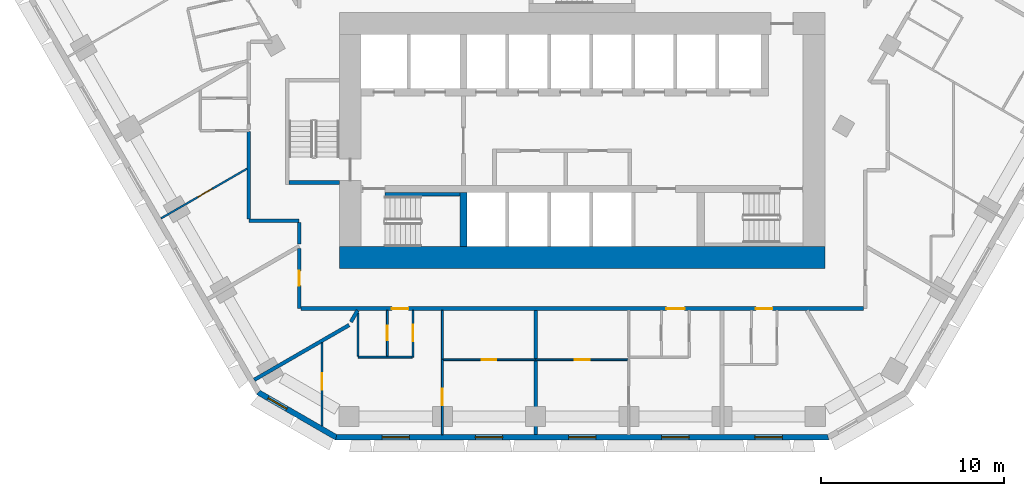
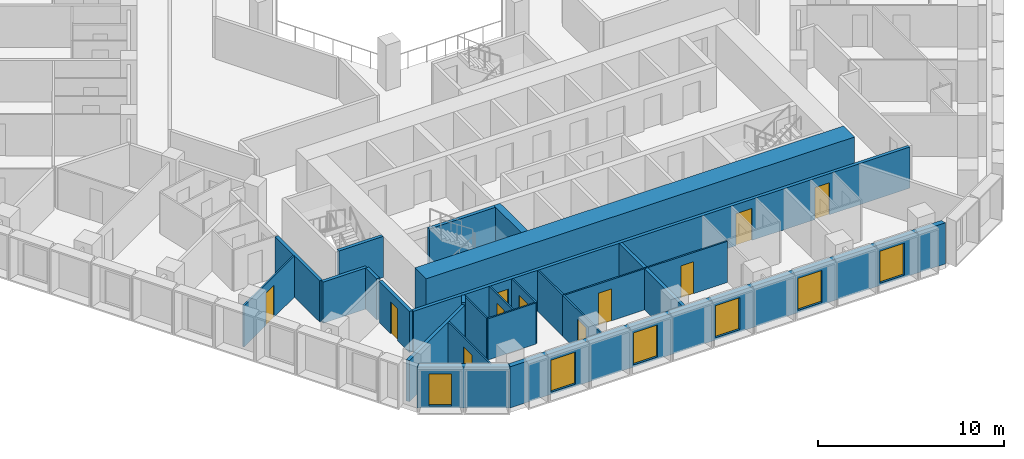
# One storey, part 3 of 16: 24 walls, 11 doors, 6 windows, 17 openings.
"""IFC4 building model written with IfcOpenShell, lengths in metres."""

import ifcopenshell
import ifcopenshell.guid

model = None  # the IFC model being written
_history = None  # IfcOwnerHistory: only IFC2X3 demands one
_inside = {}  # id of a spatial element -> (the spatial element, [elements in it])
_under = {}  # id of a project, library or spatial element -> (it, [spatial elements below it])
_declared = {}  # id of a project -> (the project, [libraries it declares])
_typed = {}  # id of a type object -> (the type object, [elements of that type])
_made_of = {}  # id of a material, layer set ... -> (it, [elements and type objects made of it])


def new_model(schema):
    """Start an empty IFC model of exactly this schema.

    Asked for "IFC4X3", IfcOpenShell would pick the latest addendum, in which some entities
    have other attributes; the version numbers below select the first issue.
    IFC2X3 requires an IfcOwnerHistory on every rooted entity: one is made here for all.
    """
    global model, _history
    if schema == "IFC4X3":
        model = ifcopenshell.file(schema_version=(4, 3, 0, 0))
    else:
        model = ifcopenshell.file(schema=schema)
    _inside.clear()
    _under.clear()
    _declared.clear()
    _typed.clear()
    _made_of.clear()
    _history = None
    if model.schema == "IFC2X3":
        org = make("IfcOrganization", Name="unknown")
        user = make(
            "IfcPersonAndOrganization",
            ThePerson=make("IfcPerson", FamilyName="unknown"),
            TheOrganization=org,
        )
        app = make(
            "IfcApplication",
            ApplicationDeveloper=org,
            Version="unknown",
            ApplicationFullName="unknown",
            ApplicationIdentifier="unknown",
        )
        _history = make(
            "IfcOwnerHistory",
            OwningUser=user,
            OwningApplication=app,
            ChangeAction="ADDED",
            CreationDate=0,
        )
    return model


def make(cls, **values):
    """One entity of the class cls with the attributes given. An attribute that is None is left unset."""
    return model.create_entity(
        cls, **{name: value for name, value in values.items() if value is not None}
    )


def rooted(cls, **values):
    """An entity with a GlobalId (a new one), such as an element, a storey or a relation."""
    return make(cls, GlobalId=ifcopenshell.guid.new(), OwnerHistory=_history, **values)


def si_unit(unit_type, name, prefix=None):
    """IfcSIUnit, for example si_unit("LENGTHUNIT", "METRE", prefix="MILLI")."""
    return make("IfcSIUnit", UnitType=unit_type, Prefix=prefix, Name=name)


def assignment(units):
    """IfcUnitAssignment: the units of a project."""
    return None if units is None else make("IfcUnitAssignment", Units=units)


def point(xyz):
    """IfcCartesianPoint."""
    return None if xyz is None else make("IfcCartesianPoint", Coordinates=xyz)


def direction(xyz):
    """IfcDirection."""
    return None if xyz is None else make("IfcDirection", DirectionRatios=xyz)


def frame(location, z_axis=None, x_axis=None):
    """IfcAxis2Placement3D, a coordinate frame: its origin and axes. An axis left out is left unset."""
    return make(
        "IfcAxis2Placement3D",
        Location=point(location),
        Axis=direction(z_axis),
        RefDirection=direction(x_axis),
    )


def frame_2d(location, x_axis=None):
    """IfcAxis2Placement2D, a coordinate frame in the plane: its origin and x axis."""
    return make(
        "IfcAxis2Placement2D", Location=point(location), RefDirection=direction(x_axis)
    )


def origin():
    """The frame at (0, 0, 0) with its axes left unset."""
    return frame((0.0, 0.0, 0.0))


def place(relative_to, where):
    """IfcLocalPlacement: puts the frame where relative to a parent placement (None: the world)."""
    return make(
        "IfcLocalPlacement", PlacementRelTo=relative_to, RelativePlacement=where
    )


def context(
    kind, dimensions, precision=None, world=None, true_north=None, identifier=None
):
    """IfcGeometricRepresentationContext, for example the 3D "Model" context."""
    return make(
        "IfcGeometricRepresentationContext",
        ContextIdentifier=identifier,
        ContextType=kind,
        CoordinateSpaceDimension=dimensions,
        Precision=precision,
        WorldCoordinateSystem=world,
        TrueNorth=true_north,
    )


def subcontext(parent, identifier, kind, view, scale=None):
    """IfcGeometricRepresentationSubContext, for example "Body" below "Model"."""
    return make(
        "IfcGeometricRepresentationSubContext",
        ContextIdentifier=identifier,
        ContextType=kind,
        ParentContext=parent,
        TargetScale=scale,
        TargetView=view,
    )


def project(units=None, contexts=None):
    """IfcProject with its units and contexts."""
    return rooted(
        "IfcProject",
        Name="project",
        RepresentationContexts=contexts,
        UnitsInContext=assignment(units),
    )


def spatial(cls, under=None, at=None, **own):
    """A site, building, storey or space (cls), placed at a placement, below another one or the project."""
    s = rooted(cls, ObjectPlacement=at, **own)
    if under is not None:
        _under.setdefault(under.id(), (under, []))[1].append(s)
    return s


def polyline(points):
    """IfcPolyline through the points."""
    return make("IfcPolyline", Points=[point(p) for p in points])


def profile(cls, at=None, kind="AREA", **sizes):
    """A parametric profile (cls). Its sizes go by their IFC names, for example OverallWidth=200.0."""
    return make(cls, ProfileType=kind, Position=at, **sizes)


def rectangle(**sizes):
    """IfcRectangleProfileDef."""
    return profile("IfcRectangleProfileDef", **sizes)


def outline(outer, holes=None, kind="AREA"):
    """IfcArbitraryClosedProfileDef: a profile drawn as a closed curve; with holes, ...WithVoids."""
    if holes is None:
        return make("IfcArbitraryClosedProfileDef", ProfileType=kind, OuterCurve=outer)
    return make(
        "IfcArbitraryProfileDefWithVoids",
        ProfileType=kind,
        OuterCurve=outer,
        InnerCurves=holes,
    )


def extrude(swept, where, along, depth):
    """IfcExtrudedAreaSolid: the profile swept, set in the frame where, extruded along a direction by depth."""
    return make(
        "IfcExtrudedAreaSolid",
        SweptArea=swept,
        Position=where,
        ExtrudedDirection=direction(along),
        Depth=depth,
    )


def shape(context_of_items, identifier, shape_type, items):
    """IfcShapeRepresentation: the items that make up one representation, for example the "Body"."""
    return make(
        "IfcShapeRepresentation",
        ContextOfItems=context_of_items,
        RepresentationIdentifier=identifier,
        RepresentationType=shape_type,
        Items=items,
    )


def material(Name=None, Category=None):
    """IfcMaterial."""
    return make("IfcMaterial", Name=Name, Category=Category)


def layer(
    of_material, thickness, ventilated=None, Name=None, Category=None, Priority=None
):
    """IfcMaterialLayer: one layer of a wall or slab, of a material (None: an air gap)."""
    return make(
        "IfcMaterialLayer",
        Material=of_material,
        LayerThickness=thickness,
        IsVentilated=ventilated,
        Name=Name,
        Category=Category,
        Priority=Priority,
    )


def layer_set(layers, Name=None):
    """IfcMaterialLayerSet."""
    return make("IfcMaterialLayerSet", MaterialLayers=layers, LayerSetName=Name)


def made_of(thing, what):
    """Note that an element or type object is made of a material, layer set ...; save() writes the relation."""
    if what is not None:
        _made_of.setdefault(what.id(), (what, []))[1].append(thing)
    return thing


def type_object(cls, material=None, **own):
    """A type object (cls), such as IfcWallType, which elements share."""
    return made_of(rooted(cls, **own), material)


def element(
    cls,
    number,
    at=None,
    inside=None,
    cuts=None,
    type_object=None,
    material=None,
    context=None,
    identifier="Body",
    shape_type=None,
    held_by="IfcProductDefinitionShape",
    body=None,
    shapes=None,
    **own,
):
    """One element of the class cls, such as IfcWall. Its Tag is "e" and its number.

    at: its placement. inside: the storey or other place that contains it. cuts: it is an
    opening in that element (IfcRelVoidsElement). A single representation is given by context,
    identifier, shape_type and body (its items); several are given by shapes. held_by: the class
    of the entity that holds the representations. save() writes the other relations.
    """
    e = rooted(cls, Tag="e%d" % number, ObjectPlacement=at, **own)
    if body is not None:
        shapes = [shape(context, identifier, shape_type, body)]
    if shapes is not None:
        e.Representation = make(held_by, Representations=shapes)
    if inside is not None:
        _inside.setdefault(inside.id(), (inside, []))[1].append(e)
    if cuts is not None:
        rooted(
            "IfcRelVoidsElement", RelatingBuildingElement=cuts, RelatedOpeningElement=e
        )
    if type_object is not None:
        _typed.setdefault(type_object.id(), (type_object, []))[1].append(e)
    return made_of(e, material)


def fill(opening, filler):
    """IfcRelFillsElement: the door or window that sits in an opening."""
    return rooted(
        "IfcRelFillsElement",
        RelatingOpeningElement=opening,
        RelatedBuildingElement=filler,
    )


def aggregate(whole, parts):
    """IfcRelAggregates: a whole, such as a stair, and the parts it consists of."""
    return rooted("IfcRelAggregates", RelatingObject=whole, RelatedObjects=parts)


def save(model, path):
    """Write the relations noted so far, then the file.

    IfcRelAggregates (storeys below a building ...), IfcRelContainedInSpatialStructure (elements
    in a storey), IfcRelDefinesByType, IfcRelAssociatesMaterial and IfcRelDeclares: one each for
    every whole, place, type object, material and project.
    """
    for whole, parts in _under.values():
        aggregate(whole, parts)
    for where, things in _inside.values():
        rooted(
            "IfcRelContainedInSpatialStructure",
            RelatedElements=things,
            RelatingStructure=where,
        )
    for kind, things in _typed.values():
        rooted("IfcRelDefinesByType", RelatedObjects=things, RelatingType=kind)
    for what, things in _made_of.values():
        rooted("IfcRelAssociatesMaterial", RelatedObjects=things, RelatingMaterial=what)
    for by, libraries in _declared.values():
        rooted("IfcRelDeclares", RelatingContext=by, RelatedDefinitions=libraries)
    model.write(path)


model = new_model("IFC4")

# Units and contexts
model_context = context("Model", 3, precision=1e-05, world=origin(), true_north=direction((0.0, 1.0)))
body_context = subcontext(model_context, "Body", "Model", "MODEL_VIEW")
ifc_project = project(units=[si_unit("LENGTHUNIT", "METRE"), si_unit("AREAUNIT", "SQUARE_METRE"), si_unit("VOLUMEUNIT", "CUBIC_METRE"), si_unit("PLANEANGLEUNIT", "RADIAN"), si_unit("MASSUNIT", "GRAM", prefix="KILO")], contexts=[model_context])

# Site, building, storey
site_placement = place(None, origin())
site = spatial("IfcSite", under=ifc_project, at=site_placement, CompositionType="ELEMENT")
building_placement = place(site_placement, origin())
building = spatial("IfcBuilding", under=site, at=building_placement, Name="Beryl Residences", CompositionType="ELEMENT")
storey_placement = place(building_placement, frame((0.0, 0.0, 44.39990234375)))
storey = spatial("IfcBuildingStorey", under=building, at=storey_placement, Name="L13", CompositionType="ELEMENT", Elevation=44.39990234375)

# Wall, opening, window
ifc_material_1 = material(Name="Composite metal panel with mineral wool insulation")
ifc_layer_1 = layer(ifc_material_1, 0.300048828125)
ifc_layer_set_1 = layer_set([ifc_layer_1], Name="ES1 pale metal composite panel wall 300 mm")
wall_type_1 = type_object("IfcWallType", Name="ES1 pale metal composite panel wall 300 mm", PredefinedType="SOLIDWALL", material=ifc_layer_set_1)
wall_1_placement = place(storey_placement, frame((-17.764892578125, -25.77001953125, 0.0), z_axis=(0.0, 0.0, 1.0), x_axis=(0.866010750942, -0.50002537861, 0.0)))
wall_1 = element("IfcWall", 1, at=wall_1_placement, inside=storey, type_object=wall_type_1, Name="ES1 external wall L13 SW-S", PredefinedType="SOLIDWALL", context=body_context, shape_type="SweptSolid", body=[
    extrude(outline(polyline([(0.0, -0.14990234375), (4.999755859375, -0.14990234375), (4.91943359375, 0.14990234375), (0.080322265625, 0.14990234375), (0.0, -0.14990234375)])), origin(), (0.0, 0.0, 1.0), 2.7001953125),
])
opening_1_placement = place(wall_1_placement, frame((0.64990234375, 0.0, 0.14990234375)))
opening_1 = element("IfcOpeningElement", 2, at=opening_1_placement, cuts=wall_1, Name="Opening W2", PredefinedType="OPENING", context=body_context, shape_type="SweptSolid", body=[
    extrude(rectangle(XDim=1.199951171875, YDim=2.10009765625, at=frame_2d((0.60009765625, 1.050048828125))), frame((0.0, 0.159912109375, 0.0), z_axis=(0.0, -1.0, 0.0), x_axis=(1.0, 0.0, 0.0)), (0.0, 0.0, 1.0), 0.320068359375),
])
ifc_material_2 = material(Name="Aluminium and clear glass", Category="aluminium")
window_type_1 = type_object("IfcWindowType", Name="W2 chamfer window 1200 x 2100 mm", PartitioningType="SINGLE_PANEL", PredefinedType="WINDOW", material=ifc_material_2)
window_1_placement = place(opening_1_placement, origin())
window_1 = element("IfcWindow", 3, at=window_1_placement, inside=storey, type_object=window_type_1, Name="W2 window L13 SW-S 1", OverallHeight=2.10009765625, OverallWidth=1.199951171875, PartitioningType="SINGLE_PANEL", PredefinedType="WINDOW", context=body_context, shape_type="SweptSolid", body=[
    extrude(rectangle(XDim=1.199951171875, YDim=2.10009765625, at=frame_2d((0.60009765625, 1.050048828125))), frame((0.0, 0.030029296875, 0.0), z_axis=(0.0, -1.0, 0.0), x_axis=(1.0, 0.0, 0.0)), (0.0, 0.0, 1.0), 0.06005859375),
])
fill(opening_1, window_1)

# Wall, openings, windows
wall_2_placement = place(storey_placement, frame((-13.510009765625, -28.25, 0.0), z_axis=(0.0, 0.0, 1.0), x_axis=(1.0, 0.0, 0.0)))
wall_2 = element("IfcWall", 4, at=wall_2_placement, inside=storey, type_object=wall_type_1, Name="ES1 external wall L13 S", PredefinedType="SOLIDWALL", context=body_context, shape_type="SweptSolid", body=[
    extrude(outline(polyline([(0.0, -0.14990234375), (27.02001953125, -0.14990234375), (26.939697265625, 0.14990234375), (0.080322265625, 0.14990234375), (0.0, -0.14990234375)])), origin(), (0.0, 0.0, 1.0), 2.7001953125),
])
opening_2_placement = place(wall_2_placement, frame((2.552978515625, 0.0, 0.14990234375)))
opening_2 = element("IfcOpeningElement", 5, at=opening_2_placement, cuts=wall_2, Name="Opening W1", PredefinedType="OPENING", context=body_context, shape_type="SweptSolid", body=[
    extrude(rectangle(XDim=1.5, YDim=2.10009765625, at=frame_2d((0.75, 1.050048828125))), frame((0.0, 0.159912109375, 0.0), z_axis=(0.0, -1.0, 0.0), x_axis=(1.0, 0.0, 0.0)), (0.0, 0.0, 1.0), 0.320068359375),
])
opening_3_placement = place(wall_2_placement, frame((7.656982421875, 0.0, 0.14990234375)))
opening_3 = element("IfcOpeningElement", 6, at=opening_3_placement, cuts=wall_2, Name="Opening W1", PredefinedType="OPENING", context=body_context, shape_type="SweptSolid", body=[
    extrude(rectangle(XDim=1.5, YDim=2.10009765625, at=frame_2d((0.75, 1.050048828125))), frame((0.0, 0.159912109375, 0.0), z_axis=(0.0, -1.0, 0.0), x_axis=(1.0, 0.0, 0.0)), (0.0, 0.0, 1.0), 0.320068359375),
])
opening_4_placement = place(wall_2_placement, frame((12.760986328125, 0.0, 0.14990234375)))
opening_4 = element("IfcOpeningElement", 7, at=opening_4_placement, cuts=wall_2, Name="Opening W1", PredefinedType="OPENING", context=body_context, shape_type="SweptSolid", body=[
    extrude(rectangle(XDim=1.5, YDim=2.10009765625, at=frame_2d((0.75, 1.050048828125))), frame((0.0, 0.159912109375, 0.0), z_axis=(0.0, -1.0, 0.0), x_axis=(1.0, 0.0, 0.0)), (0.0, 0.0, 1.0), 0.320068359375),
])
opening_5_placement = place(wall_2_placement, frame((17.864990234375, 0.0, 0.14990234375)))
opening_5 = element("IfcOpeningElement", 8, at=opening_5_placement, cuts=wall_2, Name="Opening W1", PredefinedType="OPENING", context=body_context, shape_type="SweptSolid", body=[
    extrude(rectangle(XDim=1.5, YDim=2.10009765625, at=frame_2d((0.75, 1.050048828125))), frame((0.0, 0.159912109375, 0.0), z_axis=(0.0, -1.0, 0.0), x_axis=(1.0, 0.0, 0.0)), (0.0, 0.0, 1.0), 0.320068359375),
])
opening_6_placement = place(wall_2_placement, frame((22.968994140625, 0.0, 0.14990234375)))
opening_6 = element("IfcOpeningElement", 9, at=opening_6_placement, cuts=wall_2, Name="Opening W1", PredefinedType="OPENING", context=body_context, shape_type="SweptSolid", body=[
    extrude(rectangle(XDim=1.5, YDim=2.10009765625, at=frame_2d((0.75, 1.050048828125))), frame((0.0, 0.159912109375, 0.0), z_axis=(0.0, -1.0, 0.0), x_axis=(1.0, 0.0, 0.0)), (0.0, 0.0, 1.0), 0.320068359375),
])
ifc_material_3 = material(Name="Aluminium and clear glass", Category="aluminium")
window_type_2 = type_object("IfcWindowType", Name="W1 cell window 1500 x 2100 mm", PartitioningType="SINGLE_PANEL", PredefinedType="WINDOW", material=ifc_material_3)
window_2_placement = place(opening_2_placement, origin())
window_2 = element("IfcWindow", 10, at=window_2_placement, inside=storey, type_object=window_type_2, Name="W1 window L13 S 2", OverallHeight=2.10009765625, OverallWidth=1.5, PartitioningType="SINGLE_PANEL", PredefinedType="WINDOW", context=body_context, shape_type="SweptSolid", body=[
    extrude(rectangle(XDim=1.5, YDim=2.10009765625, at=frame_2d((0.75, 1.050048828125))), frame((0.0, 0.030029296875, 0.0), z_axis=(0.0, -1.0, 0.0), x_axis=(1.0, 0.0, 0.0)), (0.0, 0.0, 1.0), 0.06005859375),
])
fill(opening_2, window_2)
window_3_placement = place(opening_3_placement, origin())
window_3 = element("IfcWindow", 11, at=window_3_placement, inside=storey, type_object=window_type_2, Name="W1 window L13 S 4", OverallHeight=2.10009765625, OverallWidth=1.5, PartitioningType="SINGLE_PANEL", PredefinedType="WINDOW", context=body_context, shape_type="SweptSolid", body=[
    extrude(rectangle(XDim=1.5, YDim=2.10009765625, at=frame_2d((0.75, 1.050048828125))), frame((0.0, 0.030029296875, 0.0), z_axis=(0.0, -1.0, 0.0), x_axis=(1.0, 0.0, 0.0)), (0.0, 0.0, 1.0), 0.06005859375),
])
fill(opening_3, window_3)
window_4_placement = place(opening_4_placement, origin())
window_4 = element("IfcWindow", 12, at=window_4_placement, inside=storey, type_object=window_type_2, Name="W1 window L13 S 6", OverallHeight=2.10009765625, OverallWidth=1.5, PartitioningType="SINGLE_PANEL", PredefinedType="WINDOW", context=body_context, shape_type="SweptSolid", body=[
    extrude(rectangle(XDim=1.5, YDim=2.10009765625, at=frame_2d((0.75, 1.050048828125))), frame((0.0, 0.030029296875, 0.0), z_axis=(0.0, -1.0, 0.0), x_axis=(1.0, 0.0, 0.0)), (0.0, 0.0, 1.0), 0.06005859375),
])
fill(opening_4, window_4)
window_5_placement = place(opening_5_placement, origin())
window_5 = element("IfcWindow", 13, at=window_5_placement, inside=storey, type_object=window_type_2, Name="W1 window L13 S 8", OverallHeight=2.10009765625, OverallWidth=1.5, PartitioningType="SINGLE_PANEL", PredefinedType="WINDOW", context=body_context, shape_type="SweptSolid", body=[
    extrude(rectangle(XDim=1.5, YDim=2.10009765625, at=frame_2d((0.75, 1.050048828125))), frame((0.0, 0.030029296875, 0.0), z_axis=(0.0, -1.0, 0.0), x_axis=(1.0, 0.0, 0.0)), (0.0, 0.0, 1.0), 0.06005859375),
])
fill(opening_5, window_5)
window_6_placement = place(opening_6_placement, origin())
window_6 = element("IfcWindow", 14, at=window_6_placement, inside=storey, type_object=window_type_2, Name="W1 window L13 S 10", OverallHeight=2.10009765625, OverallWidth=1.5, PartitioningType="SINGLE_PANEL", PredefinedType="WINDOW", context=body_context, shape_type="SweptSolid", body=[
    extrude(rectangle(XDim=1.5, YDim=2.10009765625, at=frame_2d((0.75, 1.050048828125))), frame((0.0, 0.030029296875, 0.0), z_axis=(0.0, -1.0, 0.0), x_axis=(1.0, 0.0, 0.0)), (0.0, 0.0, 1.0), 0.06005859375),
])
fill(opening_6, window_6)

# Walls
ifc_material_4 = material(Name="Gypsum board partition on steel studs", Category="steel")
ifc_layer_2 = layer(ifc_material_4, 0.10009765625)
ifc_layer_set_2 = layer_set([ifc_layer_2], Name="PT1 partition 100 mm gypsum board on steel studs")
wall_type_2 = type_object("IfcWallType", Name="PT1 partition 100 mm gypsum board on steel studs", PredefinedType="PARTITIONING", material=ifc_layer_set_2)
wall_3_placement = place(storey_placement, frame((-7.655029296875, -21.300048828125, 0.0), z_axis=(0.0, 0.0, 1.0), x_axis=(0.0, -1.0, 0.0)))
element("IfcWall", 15, at=wall_3_placement, inside=storey, type_object=wall_type_2, Name="Wall PT1 L13 007", PredefinedType="PARTITIONING", context=body_context, shape_type="SweptSolid", body=[
    extrude(rectangle(XDim=2.669921875, YDim=0.10009765625, at=frame_2d((1.3349609375, 0.0))), origin(), (0.0, 0.0, 1.0), 2.7001953125),
])
wall_4_placement = place(storey_placement, frame((-12.27490234375, -21.4599609375, 0.0), z_axis=(0.0, 0.0, 1.0), x_axis=(0.0, -1.0, 0.0)))
element("IfcWall", 16, at=wall_4_placement, inside=storey, type_object=wall_type_2, Name="Wall PT1 L13 008", PredefinedType="PARTITIONING", context=body_context, shape_type="SweptSolid", body=[
    extrude(rectangle(XDim=2.34912109375, YDim=0.10009765625, at=frame_2d((1.174560546875, 0.0))), origin(), (0.0, 0.0, 1.0), 2.7001953125),
])
wall_5_placement = place(storey_placement, frame((-12.27392578125, -23.860107421875, 0.0), z_axis=(0.0, 0.0, 1.0), x_axis=(1.0, 0.0, 0.0)))
element("IfcWall", 17, at=wall_5_placement, inside=storey, type_object=wall_type_2, Name="Wall PT1 L13 028", PredefinedType="PARTITIONING", context=body_context, shape_type="SweptSolid", body=[
    extrude(rectangle(XDim=2.9580078125, YDim=0.10009765625, at=frame_2d((1.47900390625, 0.0))), origin(), (0.0, 0.0, 1.0), 2.7001953125),
])

# Wall, opening, door
wall_6_placement = place(storey_placement, frame((-7.60498046875, -24.0, 0.0), z_axis=(0.0, 0.0, 1.0), x_axis=(1.0, 0.0, 0.0)))
wall_6 = element("IfcWall", 18, at=wall_6_placement, inside=storey, type_object=wall_type_2, Name="Wall PT1 L13 030", PredefinedType="PARTITIONING", context=body_context, shape_type="SweptSolid", body=[
    extrude(rectangle(XDim=5.053955078125, YDim=0.10009765625, at=frame_2d((2.52685546875, 0.0))), origin(), (0.0, 0.0, 1.0), 2.7001953125),
])
opening_7_placement = place(wall_6_placement, frame((2.10205078125, 0.0, 0.0)))
opening_7 = element("IfcOpeningElement", 19, at=opening_7_placement, cuts=wall_6, Name="Opening D0526", PredefinedType="OPENING", context=body_context, shape_type="SweptSolid", body=[
    extrude(rectangle(XDim=0.800048828125, YDim=2.10009765625, at=frame_2d((0.39990234375, 1.050048828125))), frame((0.0, 0.06005859375, 0.0), z_axis=(0.0, -1.0, 0.0), x_axis=(1.0, 0.0, 0.0)), (0.0, 0.0, 1.0), 0.1201171875),
])
ifc_material_5 = material(Name="Timber door leaf", Category="wood")
door_type_1 = type_object("IfcDoorType", Name="D3 bathroom door 800 x 2100 mm", OperationType="SINGLE_SWING_LEFT", PredefinedType="DOOR", material=ifc_material_5)
door_1_placement = place(opening_7_placement, origin())
door_1 = element("IfcDoor", 20, at=door_1_placement, inside=storey, type_object=door_type_1, Name="Door D0526 L13 001", OperationType="SINGLE_SWING_RIGHT", OverallHeight=2.10009765625, OverallWidth=0.800048828125, PredefinedType="DOOR", context=body_context, shape_type="SweptSolid", body=[
    extrude(rectangle(XDim=0.800048828125, YDim=2.10009765625, at=frame_2d((0.39990234375, 1.050048828125))), frame((0.0, 0.02490234375, 0.0), z_axis=(0.0, -1.0, 0.0), x_axis=(1.0, 0.0, 0.0)), (0.0, 0.0, 1.0), 0.050048828125),
])
fill(opening_7, door_1)

wall_7_placement = place(storey_placement, frame((-7.655029296875, -28.10009765625, 0.0), z_axis=(0.0, 0.0, 1.0), x_axis=(0.0, 1.0, 0.0)))
wall_7 = element("IfcWall", 21, at=wall_7_placement, inside=storey, type_object=wall_type_2, Name="Wall PT1 L13 052", PredefinedType="PARTITIONING", context=body_context, shape_type="SweptSolid", body=[
    extrude(rectangle(XDim=4.1201171875, YDim=0.10009765625, at=frame_2d((2.06005859375, 0.0))), origin(), (0.0, 0.0, 1.0), 2.7001953125),
])
opening_8_placement = place(wall_7_placement, frame((1.610107421875, 0.0, 0.0)))
opening_8 = element("IfcOpeningElement", 22, at=opening_8_placement, cuts=wall_7, Name="Opening D0525", PredefinedType="OPENING", context=body_context, shape_type="SweptSolid", body=[
    extrude(rectangle(XDim=0.89990234375, YDim=2.10009765625, at=frame_2d((0.449951171875, 1.050048828125))), frame((0.0, 0.06005859375, 0.0), z_axis=(0.0, -1.0, 0.0), x_axis=(1.0, 0.0, 0.0)), (0.0, 0.0, 1.0), 0.1201171875),
])
ifc_material_6 = material(Name="Timber door leaf", Category="wood")
door_type_2 = type_object("IfcDoorType", Name="D2 room door 900 x 2100 mm", OperationType="SINGLE_SWING_LEFT", PredefinedType="DOOR", material=ifc_material_6)
door_2_placement = place(opening_8_placement, origin())
door_2 = element("IfcDoor", 23, at=door_2_placement, inside=storey, type_object=door_type_2, Name="Door D0525 L13 001", OperationType="SINGLE_SWING_LEFT", OverallHeight=2.10009765625, OverallWidth=0.89990234375, PredefinedType="DOOR", context=body_context, shape_type="SweptSolid", body=[
    extrude(rectangle(XDim=0.89990234375, YDim=2.10009765625, at=frame_2d((0.449951171875, 1.050048828125))), frame((0.0, 0.02490234375, 0.0), z_axis=(0.0, -1.0, 0.0), x_axis=(1.0, 0.0, 0.0)), (0.0, 0.0, 1.0), 0.050048828125),
])
fill(opening_8, door_2)

wall_8_placement = place(storey_placement, frame((-9.264892578125, -23.85888671875, 0.0), z_axis=(0.0, 0.0, 1.0), x_axis=(0.0, 1.0, 0.0)))
wall_8 = element("IfcWall", 24, at=wall_8_placement, inside=storey, type_object=wall_type_2, Name="Wall PT1 L13 054", PredefinedType="PARTITIONING", context=body_context, shape_type="SweptSolid", body=[
    extrude(rectangle(XDim=2.558837890625, YDim=0.10009765625, at=frame_2d((1.279296875, 0.0))), origin(), (0.0, 0.0, 1.0), 2.7001953125),
])
opening_9_placement = place(wall_8_placement, frame((0.87890625, 0.0, 0.0)))
opening_9 = element("IfcOpeningElement", 25, at=opening_9_placement, cuts=wall_8, Name="Opening D0522", PredefinedType="OPENING", context=body_context, shape_type="SweptSolid", body=[
    extrude(rectangle(XDim=0.89990234375, YDim=2.10009765625, at=frame_2d((0.449951171875, 1.050048828125))), frame((0.0, 0.06005859375, 0.0), z_axis=(0.0, -1.0, 0.0), x_axis=(1.0, 0.0, 0.0)), (0.0, 0.0, 1.0), 0.1201171875),
])
door_3_placement = place(opening_9_placement, origin())
door_3 = element("IfcDoor", 26, at=door_3_placement, inside=storey, type_object=door_type_2, Name="Door D0522 L13 001", OperationType="SINGLE_SWING_RIGHT", OverallHeight=2.10009765625, OverallWidth=0.89990234375, PredefinedType="DOOR", context=body_context, shape_type="SweptSolid", body=[
    extrude(rectangle(XDim=0.89990234375, YDim=2.10009765625, at=frame_2d((0.449951171875, 1.050048828125))), frame((0.0, 0.02490234375, 0.0), z_axis=(0.0, -1.0, 0.0), x_axis=(1.0, 0.0, 0.0)), (0.0, 0.0, 1.0), 0.050048828125),
])
fill(opening_9, door_3)

wall_9_placement = place(storey_placement, frame((-10.6650390625, -23.81005859375, 0.0), z_axis=(0.0, 0.0, 1.0), x_axis=(0.0, 1.0, 0.0)))
wall_9 = element("IfcWall", 27, at=wall_9_placement, inside=storey, type_object=wall_type_2, Name="Wall PT1 L13 055", PredefinedType="PARTITIONING", context=body_context, shape_type="SweptSolid", body=[
    extrude(rectangle(XDim=2.510009765625, YDim=0.10009765625, at=frame_2d((1.2548828125, 0.0))), origin(), (0.0, 0.0, 1.0), 2.7001953125),
])
opening_10_placement = place(wall_9_placement, frame((0.8798828125, 0.0, 0.0)))
opening_10 = element("IfcOpeningElement", 28, at=opening_10_placement, cuts=wall_9, Name="Opening D0523", PredefinedType="OPENING", context=body_context, shape_type="SweptSolid", body=[
    extrude(rectangle(XDim=0.800048828125, YDim=2.10009765625, at=frame_2d((0.39990234375, 1.050048828125))), frame((0.0, 0.06005859375, 0.0), z_axis=(0.0, -1.0, 0.0), x_axis=(1.0, 0.0, 0.0)), (0.0, 0.0, 1.0), 0.1201171875),
])
door_4_placement = place(opening_10_placement, origin())
door_4 = element("IfcDoor", 29, at=door_4_placement, inside=storey, type_object=door_type_1, Name="Door D0523 L13 001", OperationType="SINGLE_SWING_LEFT", OverallHeight=2.10009765625, OverallWidth=0.800048828125, PredefinedType="DOOR", context=body_context, shape_type="SweptSolid", body=[
    extrude(rectangle(XDim=0.800048828125, YDim=2.10009765625, at=frame_2d((0.39990234375, 1.050048828125))), frame((0.0, 0.02490234375, 0.0), z_axis=(0.0, -1.0, 0.0), x_axis=(1.0, 0.0, 0.0)), (0.0, 0.0, 1.0), 0.050048828125),
])
fill(opening_10, door_4)

wall_10_placement = place(storey_placement, frame((-14.2470703125, -27.6279296875, 0.0), z_axis=(0.0, 0.0, 1.0), x_axis=(0.0, 1.0, 0.0)))
wall_10 = element("IfcWall", 30, at=wall_10_placement, inside=storey, type_object=wall_type_2, Name="Wall PT1 L13 056", PredefinedType="PARTITIONING", context=body_context, shape_type="SweptSolid", body=[
    extrude(rectangle(XDim=4.552001953125, YDim=0.10009765625, at=frame_2d((2.27587890625, 0.0))), origin(), (0.0, 0.0, 1.0), 2.7001953125),
])
opening_11_placement = place(wall_10_placement, frame((1.98388671875, 0.0, 0.0)))
opening_11 = element("IfcOpeningElement", 31, at=opening_11_placement, cuts=wall_10, Name="Opening D0524", PredefinedType="OPENING", context=body_context, shape_type="SweptSolid", body=[
    extrude(rectangle(XDim=0.89990234375, YDim=2.10009765625, at=frame_2d((0.449951171875, 1.050048828125))), frame((0.0, 0.06005859375, 0.0), z_axis=(0.0, -1.0, 0.0), x_axis=(1.0, 0.0, 0.0)), (0.0, 0.0, 1.0), 0.1201171875),
])
door_5_placement = place(opening_11_placement, origin())
door_5 = element("IfcDoor", 32, at=door_5_placement, inside=storey, type_object=door_type_2, Name="Door D0524 L13 001", OperationType="SINGLE_SWING_RIGHT", OverallHeight=2.10009765625, OverallWidth=0.89990234375, PredefinedType="DOOR", context=body_context, shape_type="SweptSolid", body=[
    extrude(rectangle(XDim=0.89990234375, YDim=2.10009765625, at=frame_2d((0.449951171875, 1.050048828125))), frame((0.0, 0.02490234375, 0.0), z_axis=(0.0, -1.0, 0.0), x_axis=(1.0, 0.0, 0.0)), (0.0, 0.0, 1.0), 0.050048828125),
])
fill(opening_11, door_5)

wall_11_placement = place(storey_placement, frame((-23.05908203125, -16.260986328125, 0.0), z_axis=(0.0, 0.0, 1.0), x_axis=(0.866004639177, 0.500035963631, 0.0)))
wall_11 = element("IfcWall", 33, at=wall_11_placement, inside=storey, type_object=wall_type_2, Name="Wall PT1 L13 062", PredefinedType="PARTITIONING", context=body_context, shape_type="SweptSolid", body=[
    extrude(rectangle(XDim=5.4375, YDim=0.10009765625, at=frame_2d((2.71875, 0.0))), origin(), (0.0, 0.0, 1.0), 2.7001953125),
])
opening_12_placement = place(wall_11_placement, frame((2.325927734375, 0.0, 0.0)))
opening_12 = element("IfcOpeningElement", 34, at=opening_12_placement, cuts=wall_11, Name="Opening D0519", PredefinedType="OPENING", context=body_context, shape_type="SweptSolid", body=[
    extrude(rectangle(XDim=0.89990234375, YDim=2.10009765625, at=frame_2d((0.449951171875, 1.050048828125))), frame((0.0, 0.06005859375, 0.0), z_axis=(0.0, -1.0, 0.0), x_axis=(1.0, 0.0, 0.0)), (0.0, 0.0, 1.0), 0.1201171875),
])
door_6_placement = place(opening_12_placement, origin())
door_6 = element("IfcDoor", 35, at=door_6_placement, inside=storey, type_object=door_type_2, Name="Door D0519 L13 001", OperationType="SINGLE_SWING_LEFT", OverallHeight=2.10009765625, OverallWidth=0.89990234375, PredefinedType="DOOR", context=body_context, shape_type="SweptSolid", body=[
    extrude(rectangle(XDim=0.89990234375, YDim=2.10009765625, at=frame_2d((0.449951171875, 1.050048828125))), frame((0.0, 0.02490234375, 0.0), z_axis=(0.0, -1.0, 0.0), x_axis=(1.0, 0.0, 0.0)), (0.0, 0.0, 1.0), 0.050048828125),
])
fill(opening_12, door_6)

wall_12_placement = place(storey_placement, frame((-2.551025390625, -24.0, 0.0), z_axis=(0.0, 0.0, 1.0), x_axis=(1.0, 0.0, 0.0)))
wall_12 = element("IfcWall", 36, at=wall_12_placement, inside=storey, type_object=wall_type_2, Name="Wall PT1 L13 074", PredefinedType="PARTITIONING", context=body_context, shape_type="SweptSolid", body=[
    extrude(rectangle(XDim=5.053955078125, YDim=0.10009765625, at=frame_2d((2.52685546875, 0.0))), origin(), (0.0, 0.0, 1.0), 2.7001953125),
])
opening_13_placement = place(wall_12_placement, frame((2.152099609375, 0.0, 0.0)))
opening_13 = element("IfcOpeningElement", 37, at=opening_13_placement, cuts=wall_12, Name="Opening D0531", PredefinedType="OPENING", context=body_context, shape_type="SweptSolid", body=[
    extrude(rectangle(XDim=0.800048828125, YDim=2.10009765625, at=frame_2d((0.39990234375, 1.050048828125))), frame((0.0, 0.06005859375, 0.0), z_axis=(0.0, -1.0, 0.0), x_axis=(1.0, 0.0, 0.0)), (0.0, 0.0, 1.0), 0.1201171875),
])
door_7_placement = place(opening_13_placement, origin())
door_7 = element("IfcDoor", 38, at=door_7_placement, inside=storey, type_object=door_type_1, Name="Door D0531 L13 001", OperationType="SINGLE_SWING_LEFT", OverallHeight=2.10009765625, OverallWidth=0.800048828125, PredefinedType="DOOR", context=body_context, shape_type="SweptSolid", body=[
    extrude(rectangle(XDim=0.800048828125, YDim=2.10009765625, at=frame_2d((0.39990234375, 1.050048828125))), frame((0.0, 0.02490234375, 0.0), z_axis=(0.0, -1.0, 0.0), x_axis=(1.0, 0.0, 0.0)), (0.0, 0.0, 1.0), 0.050048828125),
])
fill(opening_13, door_7)

# Walls
ifc_material_7 = material(Name="Acoustic double stud gypsum board wall")
ifc_layer_3 = layer(ifc_material_7, 0.199951171875)
ifc_layer_set_3 = layer_set([ifc_layer_3], Name="PT3 party wall 200 mm acoustic double stud")
wall_type_3 = type_object("IfcWallType", Name="PT3 party wall 200 mm acoustic double stud", PredefinedType="PARTITIONING", material=ifc_layer_set_3)
wall_13_placement = place(storey_placement, frame((-12.660888671875, -21.928955078125, 0.0), z_axis=(0.0, 0.0, 1.0), x_axis=(0.499683639304, 0.866207977689, 0.0)))
element("IfcWall", 39, at=wall_13_placement, inside=storey, type_object=wall_type_3, Name="Wall PT3 L13 011", PredefinedType="PARTITIONING", context=body_context, shape_type="SweptSolid", body=[
    extrude(rectangle(XDim=0.72607421875, YDim=0.199951171875, at=frame_2d((0.363037109375, 0.0))), origin(), (0.0, 0.0, 1.0), 2.7001953125),
])
wall_14_placement = place(storey_placement, frame((-2.551025390625, -28.10009765625, 0.0), z_axis=(0.0, 0.0, 1.0), x_axis=(0.0, 1.0, 0.0)))
element("IfcWall", 40, at=wall_14_placement, inside=storey, type_object=wall_type_3, Name="Wall PT3 L13 015", PredefinedType="PARTITIONING", context=body_context, shape_type="SweptSolid", body=[
    extrude(rectangle(XDim=6.800048828125, YDim=0.199951171875, at=frame_2d((3.39990234375, 0.0))), origin(), (0.0, 0.0, 1.0), 2.7001953125),
])
wall_15_placement = place(storey_placement, frame((-17.955078125, -25.10107421875, 0.0), z_axis=(0.0, 0.0, 1.0), x_axis=(0.866080519133, 0.499904525262, 0.0)))
element("IfcWall", 41, at=wall_15_placement, inside=storey, type_object=wall_type_3, Name="Wall PT3 L13 018", PredefinedType="PARTITIONING", context=body_context, shape_type="SweptSolid", body=[
    extrude(rectangle(XDim=5.997314453125, YDim=0.199951171875, at=frame_2d((2.99853515625, 0.0))), origin(), (0.0, 0.0, 1.0), 2.7001953125),
])
ifc_material_8 = material(Name="Double stud gypsum board wall")
ifc_layer_4 = layer(ifc_material_8, 0.199951171875)
ifc_layer_set_4 = layer_set([ifc_layer_4], Name="PT4 corridor wall 200 mm double stud")
wall_type_4 = type_object("IfcWallType", Name="PT4 corridor wall 200 mm double stud", PredefinedType="PARTITIONING", material=ifc_layer_set_4)
wall_16_placement = place(storey_placement, frame((-15.5, -16.5, 0.0), z_axis=(0.0, 0.0, 1.0), x_axis=(0.0, -1.0, 0.0)))
element("IfcWall", 42, at=wall_16_placement, inside=storey, type_object=wall_type_4, Name="Wall PT4 L13 007", PredefinedType="PARTITIONING", context=body_context, shape_type="SweptSolid", body=[
    extrude(rectangle(XDim=1.175048828125, YDim=0.199951171875, at=frame_2d((0.58740234375, 0.0))), origin(), (0.0, 0.0, 1.0), 2.7001953125),
])
wall_17_placement = place(storey_placement, frame((-18.25, -11.507080078125, 0.0), z_axis=(0.0, 0.0, 1.0), x_axis=(0.0, -1.0, 0.0)))
element("IfcWall", 43, at=wall_17_placement, inside=storey, type_object=wall_type_4, Name="Wall PT4 L13 008", PredefinedType="PARTITIONING", context=body_context, shape_type="SweptSolid", body=[
    extrude(rectangle(XDim=4.7919921875, YDim=0.199951171875, at=frame_2d((2.39599609375, 0.0))), origin(), (0.0, 0.0, 1.0), 2.7001953125),
])
wall_18_placement = place(storey_placement, frame((-18.2490234375, -16.39990234375, 0.0), z_axis=(0.0, 0.0, 1.0), x_axis=(1.0, 0.0, 0.0)))
element("IfcWall", 44, at=wall_18_placement, inside=storey, type_object=wall_type_4, Name="Wall PT4 L13 013", PredefinedType="PARTITIONING", context=body_context, shape_type="SweptSolid", body=[
    extrude(rectangle(XDim=2.7490234375, YDim=0.199951171875, at=frame_2d((1.37451171875, 0.0))), origin(), (0.0, 0.0, 1.0), 2.7001953125),
])

# Wall, openings, doors
wall_19_placement = place(storey_placement, frame((-15.39990234375, -21.199951171875, 0.0), z_axis=(0.0, 0.0, 1.0), x_axis=(1.0, 0.0, 0.0)))
wall_19 = element("IfcWall", 45, at=wall_19_placement, inside=storey, type_object=wall_type_4, Name="Wall PT4 L13 014", PredefinedType="PARTITIONING", context=body_context, shape_type="SweptSolid", body=[
    extrude(rectangle(XDim=30.798828125, YDim=0.199951171875, at=frame_2d((15.3994140625, 0.0))), origin(), (0.0, 0.0, 1.0), 2.7001953125),
])
opening_14_placement = place(wall_19_placement, frame((4.985107421875, 0.0, 0.0)))
opening_14 = element("IfcOpeningElement", 46, at=opening_14_placement, cuts=wall_19, Name="Opening D0521", PredefinedType="OPENING", context=body_context, shape_type="SweptSolid", body=[
    extrude(rectangle(XDim=0.89990234375, YDim=2.10009765625, at=frame_2d((0.449951171875, 1.050048828125))), frame((0.0, 0.10986328125, 0.0), z_axis=(0.0, -1.0, 0.0), x_axis=(1.0, 0.0, 0.0)), (0.0, 0.0, 1.0), 0.219970703125),
])
opening_15_placement = place(wall_19_placement, frame((20.0048828125, 0.0, 0.0)))
opening_15 = element("IfcOpeningElement", 47, at=opening_15_placement, cuts=wall_19, Name="Opening D0527", PredefinedType="OPENING", context=body_context, shape_type="SweptSolid", body=[
    extrude(rectangle(XDim=1.0, YDim=2.10009765625, at=frame_2d((0.5, 1.050048828125))), frame((0.0, 0.10986328125, 0.0), z_axis=(0.0, -1.0, 0.0), x_axis=(1.0, 0.0, 0.0)), (0.0, 0.0, 1.0), 0.219970703125),
])
opening_16_placement = place(wall_19_placement, frame((24.916015625, 0.0, 0.0)))
opening_16 = element("IfcOpeningElement", 48, at=opening_16_placement, cuts=wall_19, Name="Opening D0532", PredefinedType="OPENING", context=body_context, shape_type="SweptSolid", body=[
    extrude(rectangle(XDim=0.89990234375, YDim=2.10009765625, at=frame_2d((0.449951171875, 1.050048828125))), frame((0.0, 0.10986328125, 0.0), z_axis=(0.0, -1.0, 0.0), x_axis=(1.0, 0.0, 0.0)), (0.0, 0.0, 1.0), 0.219970703125),
])
ifc_material_9 = material(Name="Timber door leaf", Category="wood")
door_type_3 = type_object("IfcDoorType", Name="D1 flat entrance door 1000 x 2100 mm", OperationType="SINGLE_SWING_LEFT", PredefinedType="DOOR", material=ifc_material_9)
door_8_placement = place(opening_15_placement, origin())
door_8 = element("IfcDoor", 49, at=door_8_placement, inside=storey, type_object=door_type_3, Name="Door D0527 L13 001", OperationType="SINGLE_SWING_LEFT", OverallHeight=2.10009765625, OverallWidth=1.0, PredefinedType="DOOR", context=body_context, shape_type="SweptSolid", body=[
    extrude(rectangle(XDim=1.0, YDim=2.10009765625, at=frame_2d((0.5, 1.050048828125))), frame((0.0, 0.02490234375, 0.0), z_axis=(0.0, -1.0, 0.0), x_axis=(1.0, 0.0, 0.0)), (0.0, 0.0, 1.0), 0.050048828125),
])
fill(opening_15, door_8)
ifc_material_10 = material(Name="Timber door leaf", Category="wood")
door_type_4 = type_object("IfcDoorType", Name="D11 flat entrance door 900 x 2100 mm", OperationType="SINGLE_SWING_LEFT", PredefinedType="DOOR", material=ifc_material_10)
door_9_placement = place(opening_14_placement, origin())
door_9 = element("IfcDoor", 50, at=door_9_placement, inside=storey, type_object=door_type_4, Name="Door D0521 L13 001", OperationType="SINGLE_SWING_LEFT", OverallHeight=2.10009765625, OverallWidth=0.89990234375, PredefinedType="DOOR", context=body_context, shape_type="SweptSolid", body=[
    extrude(rectangle(XDim=0.89990234375, YDim=2.10009765625, at=frame_2d((0.449951171875, 1.050048828125))), frame((0.0, 0.02490234375, 0.0), z_axis=(0.0, -1.0, 0.0), x_axis=(1.0, 0.0, 0.0)), (0.0, 0.0, 1.0), 0.050048828125),
])
fill(opening_14, door_9)
door_10_placement = place(opening_16_placement, origin())
door_10 = element("IfcDoor", 51, at=door_10_placement, inside=storey, type_object=door_type_4, Name="Door D0532 L13 001", OperationType="SINGLE_SWING_RIGHT", OverallHeight=2.10009765625, OverallWidth=0.89990234375, PredefinedType="DOOR", context=body_context, shape_type="SweptSolid", body=[
    extrude(rectangle(XDim=0.89990234375, YDim=2.10009765625, at=frame_2d((0.449951171875, 1.050048828125))), frame((0.0, 0.02490234375, 0.0), z_axis=(0.0, -1.0, 0.0), x_axis=(1.0, 0.0, 0.0)), (0.0, 0.0, 1.0), 0.050048828125),
])
fill(opening_16, door_10)

# Wall, opening, door
wall_20_placement = place(storey_placement, frame((-15.5, -21.199951171875, 0.0), z_axis=(0.0, 0.0, 1.0), x_axis=(0.0, 1.0, 0.0)))
wall_20 = element("IfcWall", 52, at=wall_20_placement, inside=storey, type_object=wall_type_4, Name="Wall PT4 L13 031", PredefinedType="PARTITIONING", context=body_context, shape_type="SweptSolid", body=[
    extrude(rectangle(XDim=3.2939453125, YDim=0.199951171875, at=frame_2d((1.64697265625, 0.0))), origin(), (0.0, 0.0, 1.0), 2.7001953125),
])
opening_17_placement = place(wall_20_placement, frame((1.258056640625, 0.0, 0.0)))
opening_17 = element("IfcOpeningElement", 53, at=opening_17_placement, cuts=wall_20, Name="Opening D0520", PredefinedType="OPENING", context=body_context, shape_type="SweptSolid", body=[
    extrude(rectangle(XDim=0.800048828125, YDim=2.10009765625, at=frame_2d((0.39990234375, 1.050048828125))), frame((0.0, 0.10986328125, 0.0), z_axis=(0.0, -1.0, 0.0), x_axis=(1.0, 0.0, 0.0)), (0.0, 0.0, 1.0), 0.219970703125),
])
door_11_placement = place(opening_17_placement, origin())
door_11 = element("IfcDoor", 54, at=door_11_placement, inside=storey, type_object=door_type_1, Name="Door D0520 L13 001", OperationType="SINGLE_SWING_RIGHT", OverallHeight=2.10009765625, OverallWidth=0.800048828125, PredefinedType="DOOR", context=body_context, shape_type="SweptSolid", body=[
    extrude(rectangle(XDim=0.800048828125, YDim=2.10009765625, at=frame_2d((0.39990234375, 1.050048828125))), frame((0.0, 0.02490234375, 0.0), z_axis=(0.0, -1.0, 0.0), x_axis=(1.0, 0.0, 0.0)), (0.0, 0.0, 1.0), 0.050048828125),
])
fill(opening_17, door_11)

# Walls
ifc_material_11 = material(Name="Concrete C40/50", Category="concrete")
ifc_layer_5 = layer(ifc_material_11, 0.199951171875)
ifc_layer_set_5 = layer_set([ifc_layer_5], Name="PT5 stair enclosure wall 200 mm reinforced concrete C40/50")
wall_type_5 = type_object("IfcWallType", Name="PT5 stair enclosure wall 200 mm reinforced concrete C40/50", PredefinedType="SOLIDWALL", material=ifc_layer_set_5)
wall_21_placement = place(storey_placement, frame((-16.050048828125, -14.300048828125, 0.0), z_axis=(0.0, 0.0, 1.0), x_axis=(1.0, 0.0, 0.0)))
element("IfcWall", 55, at=wall_21_placement, inside=storey, type_object=wall_type_5, Name="Stair wall 02", PredefinedType="SOLIDWALL", context=body_context, shape_type="SweptSolid", body=[
    extrude(rectangle(XDim=2.75, YDim=0.199951171875, at=frame_2d((1.375, 0.0))), origin(), (0.0, 0.0, 1.0), 2.7001953125),
])
wall_22_placement = place(storey_placement, frame((-10.800048828125, -14.949951171875, 0.0), z_axis=(0.0, 0.0, 1.0), x_axis=(1.0, 0.0, 0.0)))
element("IfcWall", 56, at=wall_22_placement, inside=storey, type_object=wall_type_5, Name="Stair wall 04", PredefinedType="SOLIDWALL", context=body_context, shape_type="SweptSolid", body=[
    extrude(rectangle(XDim=4.10009765625, YDim=0.199951171875, at=frame_2d((2.050048828125, 0.0))), origin(), (0.0, 0.0, 1.0), 2.7001953125),
])
ifc_material_12 = material(Name="Concrete C80/95", Category="concrete")
ifc_layer_6 = layer(ifc_material_12, 1.199951171875)
ifc_layer_set_6 = layer_set([ifc_layer_6], Name="SW1 core outer wall 1200 mm C80/95")
wall_type_6 = type_object("IfcWallType", Name="SW1 core outer wall 1200 mm C80/95", PredefinedType="SHEAR", material=ifc_layer_set_6)
wall_23_placement = place(storey_placement, frame((-13.300048828125, -18.39990234375, 0.0), z_axis=(0.0, 0.0, 1.0), x_axis=(1.0, 0.0, 0.0)))
element("IfcWall", 57, at=wall_23_placement, inside=storey, type_object=wall_type_6, Name="Core wall S L13", PredefinedType="SHEAR", context=body_context, shape_type="SweptSolid", body=[
    extrude(rectangle(XDim=26.60009765625, YDim=1.199951171875, at=frame_2d((13.300048828125, 0.0))), origin(), (0.0, 0.0, 1.0), 2.7001953125),
])
ifc_material_13 = material(Name="Concrete C80/95", Category="concrete")
ifc_layer_7 = layer(ifc_material_13, 0.39990234375)
ifc_layer_set_7 = layer_set([ifc_layer_7], Name="SW6 core internal wall 400 mm C80/95")
wall_type_7 = type_object("IfcWallType", Name="SW6 core internal wall 400 mm C80/95", PredefinedType="SHEAR", material=ifc_layer_set_7)
wall_24_placement = place(storey_placement, frame((-6.5, -17.800048828125, 0.0), z_axis=(0.0, 0.0, 1.0), x_axis=(0.0, 1.0, 0.0)))
element("IfcWall", 58, at=wall_24_placement, inside=storey, type_object=wall_type_7, Name="Core wall XS1 L13", PredefinedType="SHEAR", context=body_context, shape_type="SweptSolid", body=[
    extrude(rectangle(XDim=2.949951171875, YDim=0.39990234375, at=frame_2d((1.47509765625, 0.0))), origin(), (0.0, 0.0, 1.0), 2.7001953125),
])

save(model, "model.ifc")
